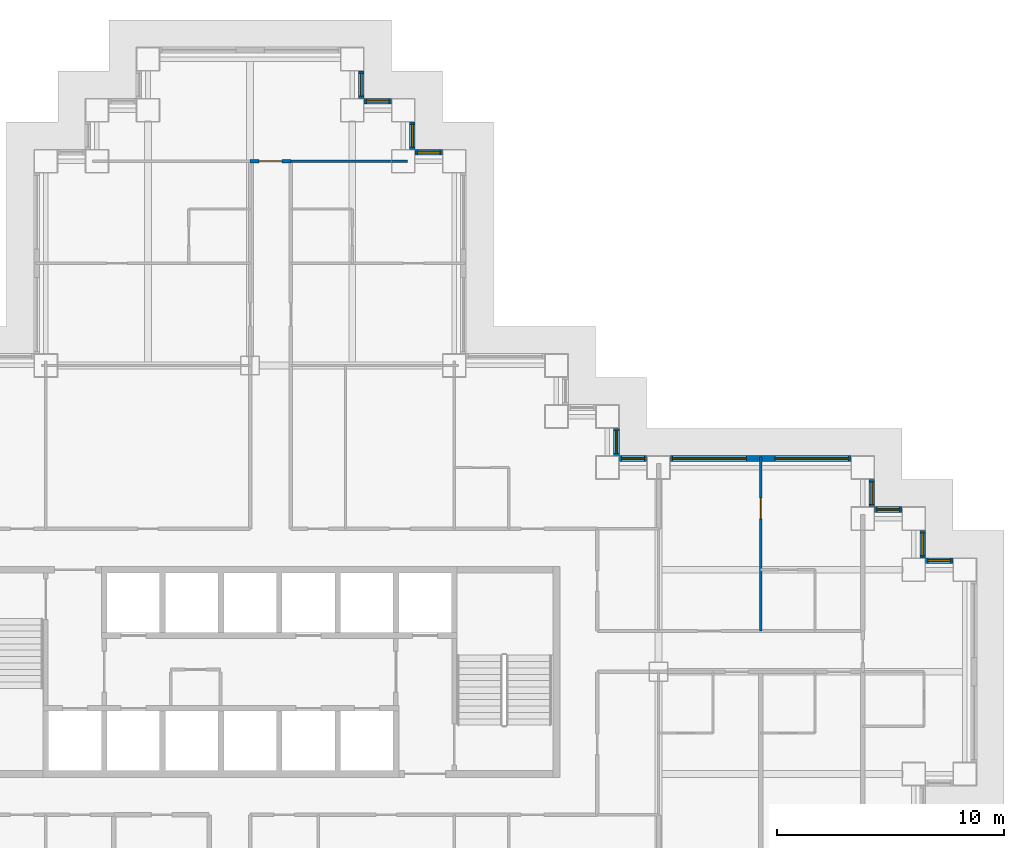
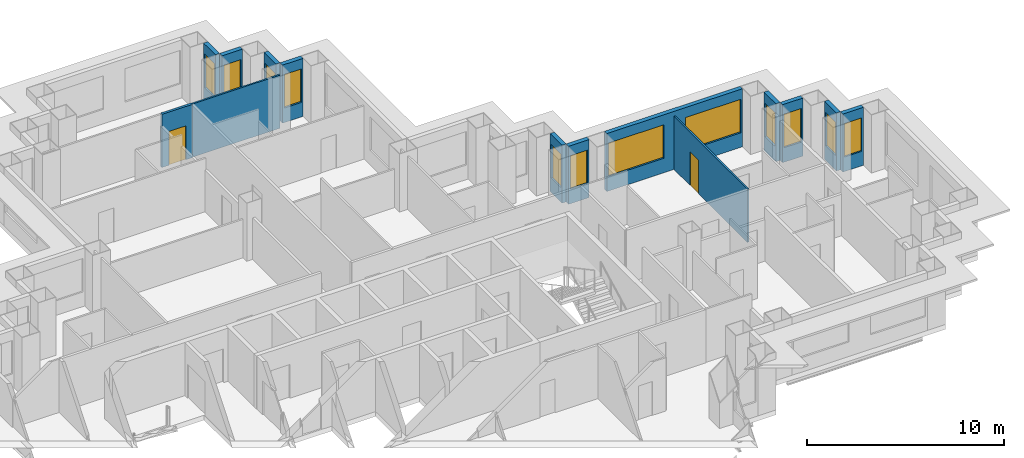
# One storey, part 9 of 14: 14 walls, 12 windows, 2 doors, 14 openings.
"""IFC4 building model written with IfcOpenShell, lengths in metres."""

from ifc_helpers import new_model, si_unit, direction, frame, frame_2d, origin, place, context, subcontext, project, spatial, rectangle, extrude, material, layer, layer_set, type_object, element, fill, save


model = new_model("IFC4")

# Units and contexts
model_context = context("Model", 3, precision=1e-05, world=origin(), true_north=direction((0.0, 1.0)))
body_context = subcontext(model_context, "Body", "Model", "MODEL_VIEW")
ifc_project = project(units=[si_unit("LENGTHUNIT", "METRE"), si_unit("AREAUNIT", "SQUARE_METRE"), si_unit("VOLUMEUNIT", "CUBIC_METRE"), si_unit("PLANEANGLEUNIT", "RADIAN"), si_unit("MASSUNIT", "GRAM", prefix="KILO")], contexts=[model_context])

# Site, building, storey
site_placement = place(None, origin())
site = spatial("IfcSite", under=ifc_project, at=site_placement, CompositionType="ELEMENT")
building_placement = place(site_placement, origin())
building = spatial("IfcBuilding", under=site, at=building_placement, Name="Caravel Reach Hotel and Residences", CompositionType="ELEMENT")
storey_placement = place(building_placement, frame((0.0, 0.0, 40.800048828125)))
storey = spatial("IfcBuildingStorey", under=building, at=storey_placement, Name="L08", CompositionType="ELEMENT", Elevation=40.800048828125)

# Wall, opening, door
ifc_material_1 = material(Name="Gypsum board on steel stud, fire-rated", Category="steel")
ifc_layer_1 = layer(ifc_material_1, 0.14990234375)
ifc_layer_set_1 = layer_set([ifc_layer_1], Name="Corridor wall 150 mm EI 60")
wall_type_1 = type_object("IfcWallType", Name="Corridor wall 150 mm EI 60", PredefinedType="PARTITIONING", material=ifc_layer_set_1)
wall_1_placement = place(storey_placement, frame((31.5, 49.5, 0.0), z_axis=(0.0, 0.0, 1.0), x_axis=(1.0, 0.0, 0.0)))
wall_1 = element("IfcWall", 1, at=wall_1_placement, inside=storey, type_object=wall_type_1, Name="L08 wall w021", PredefinedType="PARTITIONING", context=body_context, shape_type="SweptSolid", body=[
    extrude(rectangle(XDim=1.800048828125, YDim=0.14990234375, at=frame_2d((0.89990234375, 0.0))), origin(), (0.0, 0.0, 1.0), 3.300048828125),
])
opening_1_placement = place(wall_1_placement, frame((0.39990234375, 0.0, 0.0)))
opening_1 = element("IfcOpeningElement", 2, at=opening_1_placement, cuts=wall_1, Name="Opening D08-039", PredefinedType="OPENING", context=body_context, shape_type="SweptSolid", body=[
    extrude(rectangle(XDim=1.0, YDim=2.10009765625, at=frame_2d((0.5, 1.050048828125))), frame((0.0, 0.0849609375, 0.0), z_axis=(0.0, -1.0, 0.0), x_axis=(1.0, 0.0, 0.0)), (0.0, 0.0, 1.0), 0.169921875),
])
ifc_material_2 = material(Name="Steel fire door leaf", Category="steel")
door_type_1 = type_object("IfcDoorType", Name="Guest room door 1000 x 2100 EI 30", OperationType="SINGLE_SWING_LEFT", PredefinedType="DOOR", material=ifc_material_2)
door_1_placement = place(opening_1_placement, origin())
door_1 = element("IfcDoor", 3, at=door_1_placement, inside=storey, type_object=door_type_1, Name="door D08-039", OperationType="SINGLE_SWING_LEFT", OverallHeight=2.10009765625, OverallWidth=1.0, PredefinedType="DOOR", context=body_context, shape_type="SweptSolid", body=[
    extrude(rectangle(XDim=1.0, YDim=2.10009765625, at=frame_2d((0.5, 1.050048828125))), frame((0.0, 0.02490234375, 0.0), z_axis=(0.0, -1.0, 0.0), x_axis=(1.0, 0.0, 0.0)), (0.0, 0.0, 1.0), 0.050048828125),
])
fill(opening_1, door_1)

# Wall, opening, window
ifc_material_3 = material(Name="Insulated rainscreen wall, aluminium cladding", Category="aluminium")
ifc_layer_2 = layer(ifc_material_3, 0.25)
ifc_layer_set_2 = layer_set([ifc_layer_2], Name="EW1 Tower rainscreen wall")
wall_type_2 = type_object("IfcWallType", Name="EW1 Tower rainscreen wall", PredefinedType="SOLIDWALL", material=ifc_layer_set_2)
wall_2_placement = place(storey_placement, frame((62.47509765625, 31.89990234375, 0.0), z_axis=(0.0, 0.0, 1.0), x_axis=(-1.0, 0.0, 0.0)))
wall_2 = element("IfcWall", 4, at=wall_2_placement, inside=storey, type_object=wall_type_2, Name="External wall L08 N21.1", PredefinedType="SOLIDWALL", context=body_context, shape_type="SweptSolid", body=[
    extrude(rectangle(XDim=1.2001953125, YDim=0.25, at=frame_2d((0.60009765625, 0.0))), origin(), (0.0, 0.0, 1.0), 3.599853515625),
])
opening_2_placement = place(wall_2_placement, frame((0.10009765625, 0.0, 0.89990234375)))
opening_2 = element("IfcOpeningElement", 5, at=opening_2_placement, cuts=wall_2, Name="Opening WN1", PredefinedType="OPENING", context=body_context, shape_type="SweptSolid", body=[
    extrude(rectangle(XDim=1.0, YDim=2.080078125, at=frame_2d((0.5, 1.0400390625))), frame((0.0, 0.135009765625, 0.0), z_axis=(0.0, -1.0, 0.0), x_axis=(1.0, 0.0, 0.0)), (0.0, 0.0, 1.0), 0.27001953125),
])
ifc_material_4 = material(Name="Dark low-e glazing in black aluminium frame", Category="aluminium")
window_type_1 = type_object("IfcWindowType", Name="Hotel suite corner window 1000 x 2080", PartitioningType="SINGLE_PANEL", PredefinedType="WINDOW", material=ifc_material_4)
window_1_placement = place(opening_2_placement, origin())
window_1 = element("IfcWindow", 6, at=window_1_placement, inside=storey, type_object=window_type_1, Name="Window L08 N21.1.1", OverallHeight=2.080078125, OverallWidth=1.0, PartitioningType="SINGLE_PANEL", PredefinedType="WINDOW", context=body_context, shape_type="SweptSolid", body=[
    extrude(rectangle(XDim=1.0, YDim=2.080078125, at=frame_2d((0.5, 1.0400390625))), frame((0.0, 0.030029296875, 0.0), z_axis=(0.0, -1.0, 0.0), x_axis=(1.0, 0.0, 0.0)), (0.0, 0.0, 1.0), 0.06005859375),
])
fill(opening_2, window_1)

wall_3_placement = place(storey_placement, frame((61.14990234375, 32.02490234375, 0.0), z_axis=(0.0, 0.0, 1.0), x_axis=(0.0, 1.0, 0.0)))
wall_3 = element("IfcWall", 7, at=wall_3_placement, inside=storey, type_object=wall_type_2, Name="External wall L08 E22.1", PredefinedType="SOLIDWALL", context=body_context, shape_type="SweptSolid", body=[
    extrude(rectangle(XDim=1.2001953125, YDim=0.25, at=frame_2d((0.60009765625, 0.0))), origin(), (0.0, 0.0, 1.0), 3.599853515625),
])
opening_3_placement = place(wall_3_placement, frame((0.10009765625, 0.0, 0.89990234375)))
opening_3 = element("IfcOpeningElement", 8, at=opening_3_placement, cuts=wall_3, Name="Opening WN1", PredefinedType="OPENING", context=body_context, shape_type="SweptSolid", body=[
    extrude(rectangle(XDim=1.0, YDim=2.080078125, at=frame_2d((0.5, 1.0400390625))), frame((0.0, 0.135009765625, 0.0), z_axis=(0.0, -1.0, 0.0), x_axis=(1.0, 0.0, 0.0)), (0.0, 0.0, 1.0), 0.27001953125),
])
window_2_placement = place(opening_3_placement, origin())
window_2 = element("IfcWindow", 9, at=window_2_placement, inside=storey, type_object=window_type_1, Name="Window L08 E22.1.1", OverallHeight=2.080078125, OverallWidth=1.0, PartitioningType="SINGLE_PANEL", PredefinedType="WINDOW", context=body_context, shape_type="SweptSolid", body=[
    extrude(rectangle(XDim=1.0, YDim=2.080078125, at=frame_2d((0.5, 1.0400390625))), frame((0.0, 0.030029296875, 0.0), z_axis=(0.0, -1.0, 0.0), x_axis=(1.0, 0.0, 0.0)), (0.0, 0.0, 1.0), 0.06005859375),
])
fill(opening_3, window_2)

wall_4_placement = place(storey_placement, frame((60.22509765625, 34.14990234375, 0.0), z_axis=(0.0, 0.0, 1.0), x_axis=(-1.0, 0.0, 0.0)))
wall_4 = element("IfcWall", 10, at=wall_4_placement, inside=storey, type_object=wall_type_2, Name="External wall L08 N23.1", PredefinedType="SOLIDWALL", context=body_context, shape_type="SweptSolid", body=[
    extrude(rectangle(XDim=1.2001953125, YDim=0.25, at=frame_2d((0.60009765625, 0.0))), origin(), (0.0, 0.0, 1.0), 3.599853515625),
])
opening_4_placement = place(wall_4_placement, frame((0.10009765625, 0.0, 0.89990234375)))
opening_4 = element("IfcOpeningElement", 11, at=opening_4_placement, cuts=wall_4, Name="Opening WN1", PredefinedType="OPENING", context=body_context, shape_type="SweptSolid", body=[
    extrude(rectangle(XDim=1.0, YDim=2.080078125, at=frame_2d((0.5, 1.0400390625))), frame((0.0, 0.135009765625, 0.0), z_axis=(0.0, -1.0, 0.0), x_axis=(1.0, 0.0, 0.0)), (0.0, 0.0, 1.0), 0.27001953125),
])
window_3_placement = place(opening_4_placement, origin())
window_3 = element("IfcWindow", 12, at=window_3_placement, inside=storey, type_object=window_type_1, Name="Window L08 N23.1.1", OverallHeight=2.080078125, OverallWidth=1.0, PartitioningType="SINGLE_PANEL", PredefinedType="WINDOW", context=body_context, shape_type="SweptSolid", body=[
    extrude(rectangle(XDim=1.0, YDim=2.080078125, at=frame_2d((0.5, 1.0400390625))), frame((0.0, 0.030029296875, 0.0), z_axis=(0.0, -1.0, 0.0), x_axis=(1.0, 0.0, 0.0)), (0.0, 0.0, 1.0), 0.06005859375),
])
fill(opening_4, window_3)

wall_5_placement = place(storey_placement, frame((58.89990234375, 34.27490234375, 0.0), z_axis=(0.0, 0.0, 1.0), x_axis=(0.0, 1.0, 0.0)))
wall_5 = element("IfcWall", 13, at=wall_5_placement, inside=storey, type_object=wall_type_2, Name="External wall L08 E24.1", PredefinedType="SOLIDWALL", context=body_context, shape_type="SweptSolid", body=[
    extrude(rectangle(XDim=1.2001953125, YDim=0.25, at=frame_2d((0.60009765625, 0.0))), origin(), (0.0, 0.0, 1.0), 3.599853515625),
])
opening_5_placement = place(wall_5_placement, frame((0.10009765625, 0.0, 0.89990234375)))
opening_5 = element("IfcOpeningElement", 14, at=opening_5_placement, cuts=wall_5, Name="Opening WN1", PredefinedType="OPENING", context=body_context, shape_type="SweptSolid", body=[
    extrude(rectangle(XDim=1.0, YDim=2.080078125, at=frame_2d((0.5, 1.0400390625))), frame((0.0, 0.135009765625, 0.0), z_axis=(0.0, -1.0, 0.0), x_axis=(1.0, 0.0, 0.0)), (0.0, 0.0, 1.0), 0.27001953125),
])
window_4_placement = place(opening_5_placement, origin())
window_4 = element("IfcWindow", 15, at=window_4_placement, inside=storey, type_object=window_type_1, Name="Window L08 E24.1.1", OverallHeight=2.080078125, OverallWidth=1.0, PartitioningType="SINGLE_PANEL", PredefinedType="WINDOW", context=body_context, shape_type="SweptSolid", body=[
    extrude(rectangle(XDim=1.0, YDim=2.080078125, at=frame_2d((0.5, 1.0400390625))), frame((0.0, 0.030029296875, 0.0), z_axis=(0.0, -1.0, 0.0), x_axis=(1.0, 0.0, 0.0)), (0.0, 0.0, 1.0), 0.06005859375),
])
fill(opening_5, window_4)

# Wall, openings, windows
wall_6_placement = place(storey_placement, frame((57.97509765625, 36.39990234375, 0.0), z_axis=(0.0, 0.0, 1.0), x_axis=(-1.0, 0.0, 0.0)))
wall_6 = element("IfcWall", 16, at=wall_6_placement, inside=storey, type_object=wall_type_2, Name="External wall L08 N25.1", PredefinedType="SOLIDWALL", context=body_context, shape_type="SweptSolid", body=[
    extrude(rectangle(XDim=7.9501953125, YDim=0.25, at=frame_2d((3.97509765625, 0.0))), origin(), (0.0, 0.0, 1.0), 3.599853515625),
])
opening_6_placement = place(wall_6_placement, frame((0.10009765625, 0.0, 0.89990234375)))
opening_6 = element("IfcOpeningElement", 17, at=opening_6_placement, cuts=wall_6, Name="Opening WN2", PredefinedType="OPENING", context=body_context, shape_type="SweptSolid", body=[
    extrude(rectangle(XDim=3.25, YDim=2.080078125, at=frame_2d((1.625, 1.0400390625))), frame((0.0, 0.135009765625, 0.0), z_axis=(0.0, -1.0, 0.0), x_axis=(1.0, 0.0, 0.0)), (0.0, 0.0, 1.0), 0.27001953125),
])
opening_7_placement = place(wall_6_placement, frame((4.60009765625, 0.0, 0.89990234375)))
opening_7 = element("IfcOpeningElement", 18, at=opening_7_placement, cuts=wall_6, Name="Opening WN2", PredefinedType="OPENING", context=body_context, shape_type="SweptSolid", body=[
    extrude(rectangle(XDim=3.25, YDim=2.080078125, at=frame_2d((1.625, 1.0400390625))), frame((0.0, 0.135009765625, 0.0), z_axis=(0.0, -1.0, 0.0), x_axis=(1.0, 0.0, 0.0)), (0.0, 0.0, 1.0), 0.27001953125),
])
ifc_material_5 = material(Name="Dark low-e glazing in black aluminium frame", Category="aluminium")
window_type_2 = type_object("IfcWindowType", Name="Hotel guest room window 3250 x 2080", PartitioningType="SINGLE_PANEL", PredefinedType="WINDOW", material=ifc_material_5)
window_5_placement = place(opening_6_placement, origin())
window_5 = element("IfcWindow", 19, at=window_5_placement, inside=storey, type_object=window_type_2, Name="Window L08 N25.1.1", OverallHeight=2.080078125, OverallWidth=3.25, PartitioningType="SINGLE_PANEL", PredefinedType="WINDOW", context=body_context, shape_type="SweptSolid", body=[
    extrude(rectangle(XDim=3.25, YDim=2.080078125, at=frame_2d((1.625, 1.0400390625))), frame((0.0, 0.030029296875, 0.0), z_axis=(0.0, -1.0, 0.0), x_axis=(1.0, 0.0, 0.0)), (0.0, 0.0, 1.0), 0.06005859375),
])
fill(opening_6, window_5)
window_6_placement = place(opening_7_placement, origin())
window_6 = element("IfcWindow", 20, at=window_6_placement, inside=storey, type_object=window_type_2, Name="Window L08 N25.1.2", OverallHeight=2.080078125, OverallWidth=3.25, PartitioningType="SINGLE_PANEL", PredefinedType="WINDOW", context=body_context, shape_type="SweptSolid", body=[
    extrude(rectangle(XDim=3.25, YDim=2.080078125, at=frame_2d((1.625, 1.0400390625))), frame((0.0, 0.030029296875, 0.0), z_axis=(0.0, -1.0, 0.0), x_axis=(1.0, 0.0, 0.0)), (0.0, 0.0, 1.0), 0.06005859375),
])
fill(opening_7, window_6)

# Wall, opening, window
wall_7_placement = place(storey_placement, frame((48.97509765625, 36.39990234375, 0.0), z_axis=(0.0, 0.0, 1.0), x_axis=(-1.0, 0.0, 0.0)))
wall_7 = element("IfcWall", 21, at=wall_7_placement, inside=storey, type_object=wall_type_2, Name="External wall L08 N25.2", PredefinedType="SOLIDWALL", context=body_context, shape_type="SweptSolid", body=[
    extrude(rectangle(XDim=1.2001953125, YDim=0.25, at=frame_2d((0.60009765625, 0.0))), origin(), (0.0, 0.0, 1.0), 3.599853515625),
])
opening_8_placement = place(wall_7_placement, frame((0.10009765625, 0.0, 0.89990234375)))
opening_8 = element("IfcOpeningElement", 22, at=opening_8_placement, cuts=wall_7, Name="Opening WN1", PredefinedType="OPENING", context=body_context, shape_type="SweptSolid", body=[
    extrude(rectangle(XDim=1.0, YDim=2.080078125, at=frame_2d((0.5, 1.0400390625))), frame((0.0, 0.135009765625, 0.0), z_axis=(0.0, -1.0, 0.0), x_axis=(1.0, 0.0, 0.0)), (0.0, 0.0, 1.0), 0.27001953125),
])
window_7_placement = place(opening_8_placement, origin())
window_7 = element("IfcWindow", 23, at=window_7_placement, inside=storey, type_object=window_type_1, Name="Window L08 N25.2.1", OverallHeight=2.080078125, OverallWidth=1.0, PartitioningType="SINGLE_PANEL", PredefinedType="WINDOW", context=body_context, shape_type="SweptSolid", body=[
    extrude(rectangle(XDim=1.0, YDim=2.080078125, at=frame_2d((0.5, 1.0400390625))), frame((0.0, 0.030029296875, 0.0), z_axis=(0.0, -1.0, 0.0), x_axis=(1.0, 0.0, 0.0)), (0.0, 0.0, 1.0), 0.06005859375),
])
fill(opening_8, window_7)

wall_8_placement = place(storey_placement, frame((47.64990234375, 36.52490234375, 0.0), z_axis=(0.0, 0.0, 1.0), x_axis=(0.0, 1.0, 0.0)))
wall_8 = element("IfcWall", 24, at=wall_8_placement, inside=storey, type_object=wall_type_2, Name="External wall L08 E26.1", PredefinedType="SOLIDWALL", context=body_context, shape_type="SweptSolid", body=[
    extrude(rectangle(XDim=1.2001953125, YDim=0.25, at=frame_2d((0.60009765625, 0.0))), origin(), (0.0, 0.0, 1.0), 3.599853515625),
])
opening_9_placement = place(wall_8_placement, frame((0.10009765625, 0.0, 0.89990234375)))
opening_9 = element("IfcOpeningElement", 25, at=opening_9_placement, cuts=wall_8, Name="Opening WN1", PredefinedType="OPENING", context=body_context, shape_type="SweptSolid", body=[
    extrude(rectangle(XDim=1.0, YDim=2.080078125, at=frame_2d((0.5, 1.0400390625))), frame((0.0, 0.135009765625, 0.0), z_axis=(0.0, -1.0, 0.0), x_axis=(1.0, 0.0, 0.0)), (0.0, 0.0, 1.0), 0.27001953125),
])
window_8_placement = place(opening_9_placement, origin())
window_8 = element("IfcWindow", 26, at=window_8_placement, inside=storey, type_object=window_type_1, Name="Window L08 E26.1.1", OverallHeight=2.080078125, OverallWidth=1.0, PartitioningType="SINGLE_PANEL", PredefinedType="WINDOW", context=body_context, shape_type="SweptSolid", body=[
    extrude(rectangle(XDim=1.0, YDim=2.080078125, at=frame_2d((0.5, 1.0400390625))), frame((0.0, 0.030029296875, 0.0), z_axis=(0.0, -1.0, 0.0), x_axis=(1.0, 0.0, 0.0)), (0.0, 0.0, 1.0), 0.06005859375),
])
fill(opening_9, window_8)

wall_9_placement = place(storey_placement, frame((39.97509765625, 49.89990234375, 0.0), z_axis=(0.0, 0.0, 1.0), x_axis=(-1.0, 0.0, 0.0)))
wall_9 = element("IfcWall", 27, at=wall_9_placement, inside=storey, type_object=wall_type_2, Name="External wall L08 N31.1", PredefinedType="SOLIDWALL", context=body_context, shape_type="SweptSolid", body=[
    extrude(rectangle(XDim=1.2001953125, YDim=0.25, at=frame_2d((0.60009765625, 0.0))), origin(), (0.0, 0.0, 1.0), 3.599853515625),
])
opening_10_placement = place(wall_9_placement, frame((0.10009765625, 0.0, 0.89990234375)))
opening_10 = element("IfcOpeningElement", 28, at=opening_10_placement, cuts=wall_9, Name="Opening WN1", PredefinedType="OPENING", context=body_context, shape_type="SweptSolid", body=[
    extrude(rectangle(XDim=1.0, YDim=2.080078125, at=frame_2d((0.5, 1.0400390625))), frame((0.0, 0.135009765625, 0.0), z_axis=(0.0, -1.0, 0.0), x_axis=(1.0, 0.0, 0.0)), (0.0, 0.0, 1.0), 0.27001953125),
])
window_9_placement = place(opening_10_placement, origin())
window_9 = element("IfcWindow", 29, at=window_9_placement, inside=storey, type_object=window_type_1, Name="Window L08 N31.1.1", OverallHeight=2.080078125, OverallWidth=1.0, PartitioningType="SINGLE_PANEL", PredefinedType="WINDOW", context=body_context, shape_type="SweptSolid", body=[
    extrude(rectangle(XDim=1.0, YDim=2.080078125, at=frame_2d((0.5, 1.0400390625))), frame((0.0, 0.030029296875, 0.0), z_axis=(0.0, -1.0, 0.0), x_axis=(1.0, 0.0, 0.0)), (0.0, 0.0, 1.0), 0.06005859375),
])
fill(opening_10, window_9)

wall_10_placement = place(storey_placement, frame((38.64990234375, 50.02490234375, 0.0), z_axis=(0.0, 0.0, 1.0), x_axis=(0.0, 1.0, 0.0)))
wall_10 = element("IfcWall", 30, at=wall_10_placement, inside=storey, type_object=wall_type_2, Name="External wall L08 E32.1", PredefinedType="SOLIDWALL", context=body_context, shape_type="SweptSolid", body=[
    extrude(rectangle(XDim=1.2001953125, YDim=0.25, at=frame_2d((0.60009765625, 0.0))), origin(), (0.0, 0.0, 1.0), 3.599853515625),
])
opening_11_placement = place(wall_10_placement, frame((0.10009765625, 0.0, 0.89990234375)))
opening_11 = element("IfcOpeningElement", 31, at=opening_11_placement, cuts=wall_10, Name="Opening WN1", PredefinedType="OPENING", context=body_context, shape_type="SweptSolid", body=[
    extrude(rectangle(XDim=1.0, YDim=2.080078125, at=frame_2d((0.5, 1.0400390625))), frame((0.0, 0.135009765625, 0.0), z_axis=(0.0, -1.0, 0.0), x_axis=(1.0, 0.0, 0.0)), (0.0, 0.0, 1.0), 0.27001953125),
])
window_10_placement = place(opening_11_placement, origin())
window_10 = element("IfcWindow", 32, at=window_10_placement, inside=storey, type_object=window_type_1, Name="Window L08 E32.1.1", OverallHeight=2.080078125, OverallWidth=1.0, PartitioningType="SINGLE_PANEL", PredefinedType="WINDOW", context=body_context, shape_type="SweptSolid", body=[
    extrude(rectangle(XDim=1.0, YDim=2.080078125, at=frame_2d((0.5, 1.0400390625))), frame((0.0, 0.030029296875, 0.0), z_axis=(0.0, -1.0, 0.0), x_axis=(1.0, 0.0, 0.0)), (0.0, 0.0, 1.0), 0.06005859375),
])
fill(opening_11, window_10)

wall_11_placement = place(storey_placement, frame((37.72509765625, 52.14990234375, 0.0), z_axis=(0.0, 0.0, 1.0), x_axis=(-1.0, 0.0, 0.0)))
wall_11 = element("IfcWall", 33, at=wall_11_placement, inside=storey, type_object=wall_type_2, Name="External wall L08 N33.1", PredefinedType="SOLIDWALL", context=body_context, shape_type="SweptSolid", body=[
    extrude(rectangle(XDim=1.2001953125, YDim=0.25, at=frame_2d((0.60009765625, 0.0))), origin(), (0.0, 0.0, 1.0), 3.599853515625),
])
opening_12_placement = place(wall_11_placement, frame((0.10009765625, 0.0, 0.89990234375)))
opening_12 = element("IfcOpeningElement", 34, at=opening_12_placement, cuts=wall_11, Name="Opening WN1", PredefinedType="OPENING", context=body_context, shape_type="SweptSolid", body=[
    extrude(rectangle(XDim=1.0, YDim=2.080078125, at=frame_2d((0.5, 1.0400390625))), frame((0.0, 0.135009765625, 0.0), z_axis=(0.0, -1.0, 0.0), x_axis=(1.0, 0.0, 0.0)), (0.0, 0.0, 1.0), 0.27001953125),
])
window_11_placement = place(opening_12_placement, origin())
window_11 = element("IfcWindow", 35, at=window_11_placement, inside=storey, type_object=window_type_1, Name="Window L08 N33.1.1", OverallHeight=2.080078125, OverallWidth=1.0, PartitioningType="SINGLE_PANEL", PredefinedType="WINDOW", context=body_context, shape_type="SweptSolid", body=[
    extrude(rectangle(XDim=1.0, YDim=2.080078125, at=frame_2d((0.5, 1.0400390625))), frame((0.0, 0.030029296875, 0.0), z_axis=(0.0, -1.0, 0.0), x_axis=(1.0, 0.0, 0.0)), (0.0, 0.0, 1.0), 0.06005859375),
])
fill(opening_12, window_11)

wall_12_placement = place(storey_placement, frame((36.39990234375, 52.27490234375, 0.0), z_axis=(0.0, 0.0, 1.0), x_axis=(0.0, 1.0, 0.0)))
wall_12 = element("IfcWall", 36, at=wall_12_placement, inside=storey, type_object=wall_type_2, Name="External wall L08 E34.1", PredefinedType="SOLIDWALL", context=body_context, shape_type="SweptSolid", body=[
    extrude(rectangle(XDim=1.2001953125, YDim=0.25, at=frame_2d((0.60009765625, 0.0))), origin(), (0.0, 0.0, 1.0), 3.599853515625),
])
opening_13_placement = place(wall_12_placement, frame((0.10009765625, 0.0, 0.89990234375)))
opening_13 = element("IfcOpeningElement", 37, at=opening_13_placement, cuts=wall_12, Name="Opening WN1", PredefinedType="OPENING", context=body_context, shape_type="SweptSolid", body=[
    extrude(rectangle(XDim=1.0, YDim=2.080078125, at=frame_2d((0.5, 1.0400390625))), frame((0.0, 0.135009765625, 0.0), z_axis=(0.0, -1.0, 0.0), x_axis=(1.0, 0.0, 0.0)), (0.0, 0.0, 1.0), 0.27001953125),
])
window_12_placement = place(opening_13_placement, origin())
window_12 = element("IfcWindow", 38, at=window_12_placement, inside=storey, type_object=window_type_1, Name="Window L08 E34.1.1", OverallHeight=2.080078125, OverallWidth=1.0, PartitioningType="SINGLE_PANEL", PredefinedType="WINDOW", context=body_context, shape_type="SweptSolid", body=[
    extrude(rectangle(XDim=1.0, YDim=2.080078125, at=frame_2d((0.5, 1.0400390625))), frame((0.0, 0.030029296875, 0.0), z_axis=(0.0, -1.0, 0.0), x_axis=(1.0, 0.0, 0.0)), (0.0, 0.0, 1.0), 0.06005859375),
])
fill(opening_13, window_12)

# Wall
ifc_material_6 = material(Name="Gypsum board on steel stud", Category="steel")
ifc_layer_3 = layer(ifc_material_6, 0.10009765625)
ifc_layer_set_3 = layer_set([ifc_layer_3], Name="Partition 100 mm")
wall_type_3 = type_object("IfcWallType", Name="Partition 100 mm", PredefinedType="PARTITIONING", material=ifc_layer_set_3)
wall_13_placement = place(storey_placement, frame((33.300048828125, 49.5, 0.0), z_axis=(0.0, 0.0, 1.0), x_axis=(1.0, 0.0, 0.0)))
element("IfcWall", 39, at=wall_13_placement, inside=storey, type_object=wall_type_3, Name="L08 wall w050", PredefinedType="PARTITIONING", context=body_context, shape_type="SweptSolid", body=[
    extrude(rectangle(XDim=5.139892578125, YDim=0.10009765625, at=frame_2d((2.56982421875, 0.0))), origin(), (0.0, 0.0, 1.0), 3.300048828125),
])

# Wall, opening, door
wall_14_placement = place(storey_placement, frame((54.0, 28.800048828125, 0.0), z_axis=(0.0, 0.0, 1.0), x_axis=(0.0, 1.0, 0.0)))
wall_14 = element("IfcWall", 40, at=wall_14_placement, inside=storey, type_object=wall_type_3, Name="L08 wall w064", PredefinedType="PARTITIONING", context=body_context, shape_type="SweptSolid", body=[
    extrude(rectangle(XDim=7.6650390625, YDim=0.10009765625, at=frame_2d((3.83251953125, 0.0))), origin(), (0.0, 0.0, 1.0), 3.300048828125),
])
opening_14_placement = place(wall_14_placement, frame((4.949951171875, 0.0, 0.0)))
opening_14 = element("IfcOpeningElement", 41, at=opening_14_placement, cuts=wall_14, Name="Opening D08-024", PredefinedType="OPENING", context=body_context, shape_type="SweptSolid", body=[
    extrude(rectangle(XDim=0.89990234375, YDim=2.10009765625, at=frame_2d((0.449951171875, 1.050048828125))), frame((0.0, 0.06005859375, 0.0), z_axis=(0.0, -1.0, 0.0), x_axis=(1.0, 0.0, 0.0)), (0.0, 0.0, 1.0), 0.1201171875),
])
ifc_material_7 = material(Name="Timber and steel door leaf", Category="steel")
door_type_2 = type_object("IfcDoorType", Name="Door 900 x 2100 timber", OperationType="SINGLE_SWING_LEFT", PredefinedType="DOOR", material=ifc_material_7)
door_2_placement = place(opening_14_placement, origin())
door_2 = element("IfcDoor", 42, at=door_2_placement, inside=storey, type_object=door_type_2, Name="door D08-024", OperationType="SINGLE_SWING_RIGHT", OverallHeight=2.10009765625, OverallWidth=0.89990234375, PredefinedType="DOOR", context=body_context, shape_type="SweptSolid", body=[
    extrude(rectangle(XDim=0.89990234375, YDim=2.10009765625, at=frame_2d((0.449951171875, 1.050048828125))), frame((0.0, 0.02490234375, 0.0), z_axis=(0.0, -1.0, 0.0), x_axis=(1.0, 0.0, 0.0)), (0.0, 0.0, 1.0), 0.050048828125),
])
fill(opening_14, door_2)

save(model, "model.ifc")
